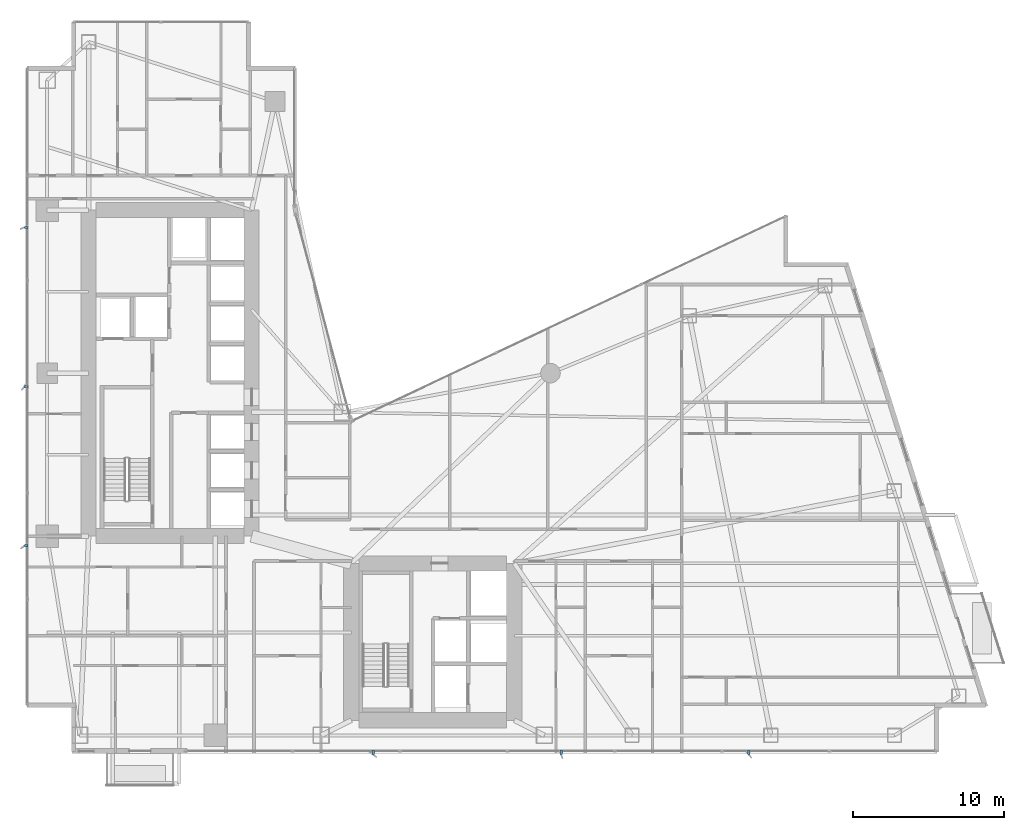
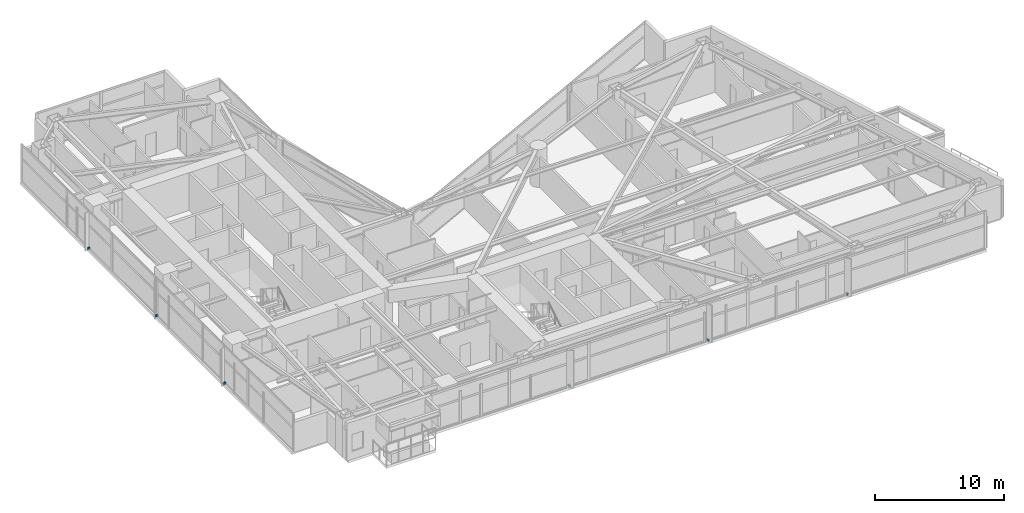
# One storey, part 27 of 30: 6 discrete accessories.
"""IFC4 building model written with IfcOpenShell, lengths in metres."""

from ifc_helpers import new_model, si_unit, direction, frame, origin, origin_2d, place, context, subcontext, project, spatial, rectangle, extrude, material, type_object, element, save


model = new_model("IFC4")

# Units and contexts
model_context = context("Model", 3, precision=1e-05, world=origin(), true_north=direction((0.0, 1.0)))
body_context = subcontext(model_context, "Body", "Model", "MODEL_VIEW")
ifc_project = project(units=[si_unit("LENGTHUNIT", "METRE"), si_unit("AREAUNIT", "SQUARE_METRE"), si_unit("VOLUMEUNIT", "CUBIC_METRE"), si_unit("PLANEANGLEUNIT", "RADIAN"), si_unit("MASSUNIT", "GRAM", prefix="KILO")], contexts=[model_context])

# Site, building, storey
site_placement = place(None, origin())
site = spatial("IfcSite", under=ifc_project, at=site_placement, CompositionType="ELEMENT")
building_placement = place(site_placement, origin())
building = spatial("IfcBuilding", under=site, at=building_placement, Name="Calvorn Quay Hotel", CompositionType="ELEMENT")
storey_placement = place(building_placement, frame((0.0, 0.0, 77.39990234375)))
storey = spatial("IfcBuildingStorey", under=building, at=storey_placement, Name="L18", CompositionType="ELEMENT", Elevation=77.39990234375)

# Discrete accessories
ifc_material = material(Name="Steel Q355B", Category="steel")
discrete_accessory_type = type_object("IfcDiscreteAccessoryType", Name="ACC-FIN-BRACKET", PredefinedType="BRACKET", material=ifc_material)
for number, where, z_axis, x_axis, name in (
    (1, (0.06005859375, 16.14990234375, 0.0302734375), (0.0, 0.0, 1.0), (1.0, 0.0, 0.0), "Fin Anchor Bracket L18-W01"),
    (2, (0.06005859375, 26.699951171875, 0.0302734375), (0.0, 0.0, 1.0), (1.0, 0.0, 0.0), "Fin Anchor Bracket L18-W02"),
    (3, (0.06005859375, 37.25, 0.0302734375), (0.0, 0.0, 1.0), (1.0, 0.0, 0.0), "Fin Anchor Bracket L18-W03"),
    (4, (23.050048828125, 2.4599609375, 0.0302734375), (0.0, 0.0, 1.0), (0.0, 1.0, 0.0), "Fin Anchor Bracket L18-S01"),
    (5, (35.5, 2.4599609375, 0.0302734375), (0.0, 0.0, 1.0), (0.0, 1.0, 0.0), "Fin Anchor Bracket L18-S02"),
    (6, (47.949951171875, 2.4599609375, 0.0302734375), (0.0, 0.0, 1.0), (0.0, 1.0, 0.0), "Fin Anchor Bracket L18-S03"),
):
    element("IfcDiscreteAccessory", number, at=place(storey_placement, frame(where, z_axis=z_axis, x_axis=x_axis)), inside=storey, type_object=discrete_accessory_type, Name=name, PredefinedType="BRACKET", context=body_context, shape_type="SweptSolid", body=[
        extrude(rectangle(XDim=0.239990234375, YDim=0.159912109375, at=origin_2d()), origin(), (0.0, 0.0, 1.0), 0.179931640625),
    ])

save(model, "model.ifc")
